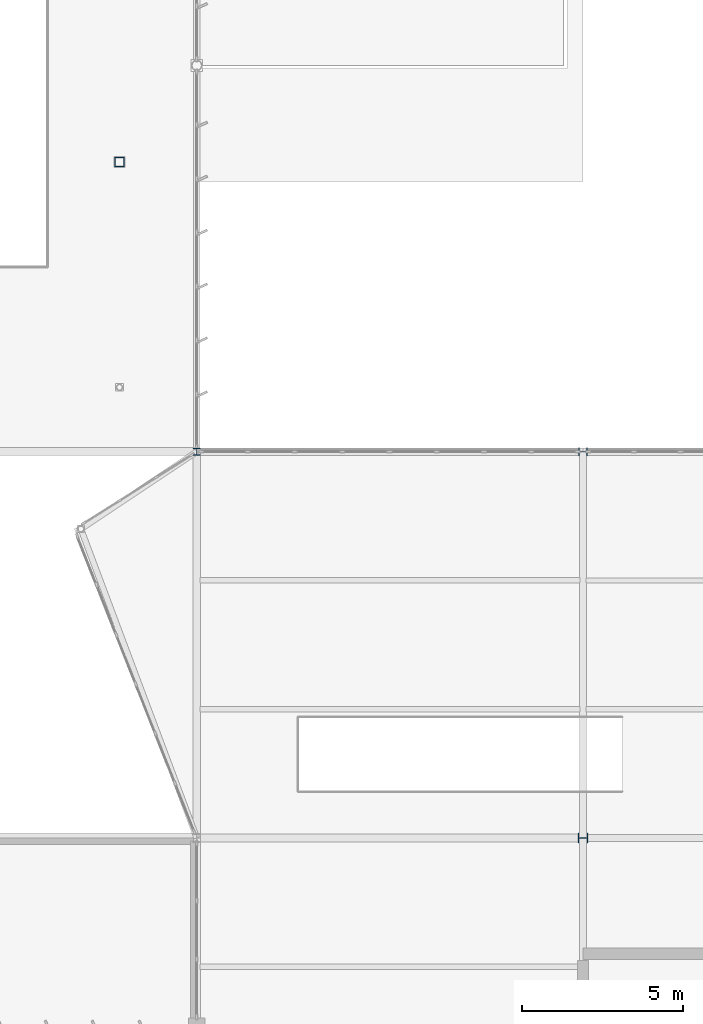
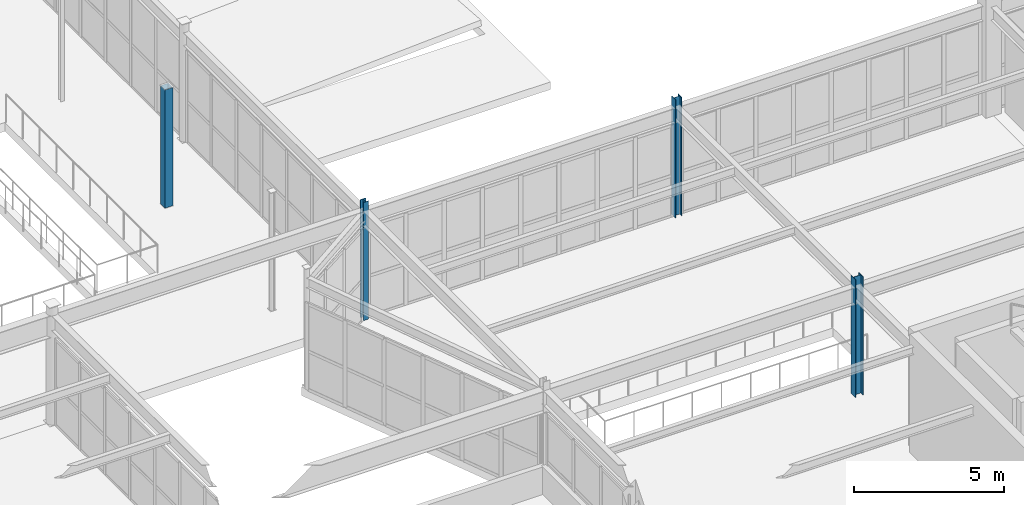
# One storey, part 45 of 226: 4 columns.
"""IFC4 building model written with IfcOpenShell, lengths in metres."""

import ifcopenshell
import ifcopenshell.guid

model = None  # the IFC model being written
_history = None  # IfcOwnerHistory: only IFC2X3 demands one
_inside = {}  # id of a spatial element -> (the spatial element, [elements in it])
_under = {}  # id of a project, library or spatial element -> (it, [spatial elements below it])
_declared = {}  # id of a project -> (the project, [libraries it declares])
_typed = {}  # id of a type object -> (the type object, [elements of that type])
_made_of = {}  # id of a material, layer set ... -> (it, [elements and type objects made of it])


def new_model(schema):
    """Start an empty IFC model of exactly this schema.

    Asked for "IFC4X3", IfcOpenShell would pick the latest addendum, in which some entities
    have other attributes; the version numbers below select the first issue.
    IFC2X3 requires an IfcOwnerHistory on every rooted entity: one is made here for all.
    """
    global model, _history
    if schema == "IFC4X3":
        model = ifcopenshell.file(schema_version=(4, 3, 0, 0))
    else:
        model = ifcopenshell.file(schema=schema)
    _inside.clear()
    _under.clear()
    _declared.clear()
    _typed.clear()
    _made_of.clear()
    _history = None
    if model.schema == "IFC2X3":
        org = make("IfcOrganization", Name="unknown")
        user = make(
            "IfcPersonAndOrganization",
            ThePerson=make("IfcPerson", FamilyName="unknown"),
            TheOrganization=org,
        )
        app = make(
            "IfcApplication",
            ApplicationDeveloper=org,
            Version="unknown",
            ApplicationFullName="unknown",
            ApplicationIdentifier="unknown",
        )
        _history = make(
            "IfcOwnerHistory",
            OwningUser=user,
            OwningApplication=app,
            ChangeAction="ADDED",
            CreationDate=0,
        )
    return model


def make(cls, **values):
    """One entity of the class cls with the attributes given. An attribute that is None is left unset."""
    return model.create_entity(
        cls, **{name: value for name, value in values.items() if value is not None}
    )


def rooted(cls, **values):
    """An entity with a GlobalId (a new one), such as an element, a storey or a relation."""
    return make(cls, GlobalId=ifcopenshell.guid.new(), OwnerHistory=_history, **values)


def si_unit(unit_type, name, prefix=None):
    """IfcSIUnit, for example si_unit("LENGTHUNIT", "METRE", prefix="MILLI")."""
    return make("IfcSIUnit", UnitType=unit_type, Prefix=prefix, Name=name)


def assignment(units):
    """IfcUnitAssignment: the units of a project."""
    return None if units is None else make("IfcUnitAssignment", Units=units)


def point(xyz):
    """IfcCartesianPoint."""
    return None if xyz is None else make("IfcCartesianPoint", Coordinates=xyz)


def direction(xyz):
    """IfcDirection."""
    return None if xyz is None else make("IfcDirection", DirectionRatios=xyz)


def frame(location, z_axis=None, x_axis=None):
    """IfcAxis2Placement3D, a coordinate frame: its origin and axes. An axis left out is left unset."""
    return make(
        "IfcAxis2Placement3D",
        Location=point(location),
        Axis=direction(z_axis),
        RefDirection=direction(x_axis),
    )


def frame_2d(location, x_axis=None):
    """IfcAxis2Placement2D, a coordinate frame in the plane: its origin and x axis."""
    return make(
        "IfcAxis2Placement2D", Location=point(location), RefDirection=direction(x_axis)
    )


def origin():
    """The frame at (0, 0, 0) with its axes left unset."""
    return frame((0.0, 0.0, 0.0))


def origin_2d():
    """The frame at (0, 0) in the plane with its x axis left unset."""
    return frame_2d((0.0, 0.0))


def place(relative_to, where):
    """IfcLocalPlacement: puts the frame where relative to a parent placement (None: the world)."""
    return make(
        "IfcLocalPlacement", PlacementRelTo=relative_to, RelativePlacement=where
    )


def context(
    kind, dimensions, precision=None, world=None, true_north=None, identifier=None
):
    """IfcGeometricRepresentationContext, for example the 3D "Model" context."""
    return make(
        "IfcGeometricRepresentationContext",
        ContextIdentifier=identifier,
        ContextType=kind,
        CoordinateSpaceDimension=dimensions,
        Precision=precision,
        WorldCoordinateSystem=world,
        TrueNorth=true_north,
    )


def subcontext(parent, identifier, kind, view, scale=None):
    """IfcGeometricRepresentationSubContext, for example "Body" below "Model"."""
    return make(
        "IfcGeometricRepresentationSubContext",
        ContextIdentifier=identifier,
        ContextType=kind,
        ParentContext=parent,
        TargetScale=scale,
        TargetView=view,
    )


def project(units=None, contexts=None):
    """IfcProject with its units and contexts."""
    return rooted(
        "IfcProject",
        Name="project",
        RepresentationContexts=contexts,
        UnitsInContext=assignment(units),
    )


def spatial(cls, under=None, at=None, **own):
    """A site, building, storey or space (cls), placed at a placement, below another one or the project."""
    s = rooted(cls, ObjectPlacement=at, **own)
    if under is not None:
        _under.setdefault(under.id(), (under, []))[1].append(s)
    return s


def profile(cls, at=None, kind="AREA", **sizes):
    """A parametric profile (cls). Its sizes go by their IFC names, for example OverallWidth=200.0."""
    return make(cls, ProfileType=kind, Position=at, **sizes)


def hollow_rectangle(**sizes):
    """IfcRectangleHollowProfileDef."""
    return profile("IfcRectangleHollowProfileDef", **sizes)


def i_section(**sizes):
    """IfcIShapeProfileDef."""
    return profile("IfcIShapeProfileDef", **sizes)


def extrude(swept, where, along, depth):
    """IfcExtrudedAreaSolid: the profile swept, set in the frame where, extruded along a direction by depth."""
    return make(
        "IfcExtrudedAreaSolid",
        SweptArea=swept,
        Position=where,
        ExtrudedDirection=direction(along),
        Depth=depth,
    )


def shape(context_of_items, identifier, shape_type, items):
    """IfcShapeRepresentation: the items that make up one representation, for example the "Body"."""
    return make(
        "IfcShapeRepresentation",
        ContextOfItems=context_of_items,
        RepresentationIdentifier=identifier,
        RepresentationType=shape_type,
        Items=items,
    )


def material(Name=None, Category=None):
    """IfcMaterial."""
    return make("IfcMaterial", Name=Name, Category=Category)


def material_profile(
    of_material, cross_section, Name=None, Category=None, Priority=None
):
    """IfcMaterialProfile: a cross section and its material."""
    return make(
        "IfcMaterialProfile",
        Name=Name,
        Material=of_material,
        Profile=cross_section,
        Priority=Priority,
        Category=Category,
    )


def profile_set(profiles, Name=None, composite=None):
    """IfcMaterialProfileSet."""
    return make(
        "IfcMaterialProfileSet",
        Name=Name,
        MaterialProfiles=profiles,
        CompositeProfile=composite,
    )


def made_of(thing, what):
    """Note that an element or type object is made of a material, layer set ...; save() writes the relation."""
    if what is not None:
        _made_of.setdefault(what.id(), (what, []))[1].append(thing)
    return thing


def type_object(cls, material=None, **own):
    """A type object (cls), such as IfcWallType, which elements share."""
    return made_of(rooted(cls, **own), material)


def element(
    cls,
    number,
    at=None,
    inside=None,
    cuts=None,
    type_object=None,
    material=None,
    context=None,
    identifier="Body",
    shape_type=None,
    held_by="IfcProductDefinitionShape",
    body=None,
    shapes=None,
    **own,
):
    """One element of the class cls, such as IfcWall. Its Tag is "e" and its number.

    at: its placement. inside: the storey or other place that contains it. cuts: it is an
    opening in that element (IfcRelVoidsElement). A single representation is given by context,
    identifier, shape_type and body (its items); several are given by shapes. held_by: the class
    of the entity that holds the representations. save() writes the other relations.
    """
    e = rooted(cls, Tag="e%d" % number, ObjectPlacement=at, **own)
    if body is not None:
        shapes = [shape(context, identifier, shape_type, body)]
    if shapes is not None:
        e.Representation = make(held_by, Representations=shapes)
    if inside is not None:
        _inside.setdefault(inside.id(), (inside, []))[1].append(e)
    if cuts is not None:
        rooted(
            "IfcRelVoidsElement", RelatingBuildingElement=cuts, RelatedOpeningElement=e
        )
    if type_object is not None:
        _typed.setdefault(type_object.id(), (type_object, []))[1].append(e)
    return made_of(e, material)


def aggregate(whole, parts):
    """IfcRelAggregates: a whole, such as a stair, and the parts it consists of."""
    return rooted("IfcRelAggregates", RelatingObject=whole, RelatedObjects=parts)


def save(model, path):
    """Write the relations noted so far, then the file.

    IfcRelAggregates (storeys below a building ...), IfcRelContainedInSpatialStructure (elements
    in a storey), IfcRelDefinesByType, IfcRelAssociatesMaterial and IfcRelDeclares: one each for
    every whole, place, type object, material and project.
    """
    for whole, parts in _under.values():
        aggregate(whole, parts)
    for where, things in _inside.values():
        rooted(
            "IfcRelContainedInSpatialStructure",
            RelatedElements=things,
            RelatingStructure=where,
        )
    for kind, things in _typed.values():
        rooted("IfcRelDefinesByType", RelatedObjects=things, RelatingType=kind)
    for what, things in _made_of.values():
        rooted("IfcRelAssociatesMaterial", RelatedObjects=things, RelatingMaterial=what)
    for by, libraries in _declared.values():
        rooted("IfcRelDeclares", RelatingContext=by, RelatedDefinitions=libraries)
    model.write(path)


model = new_model("IFC4")

# Units and contexts
model_context = context("Model", 3, precision=1e-05, world=origin(), true_north=direction((0.0, 1.0)))
body_context = subcontext(model_context, "Body", "Model", "MODEL_VIEW")
ifc_project = project(units=[si_unit("LENGTHUNIT", "METRE"), si_unit("AREAUNIT", "SQUARE_METRE"), si_unit("VOLUMEUNIT", "CUBIC_METRE"), si_unit("PLANEANGLEUNIT", "RADIAN"), si_unit("MASSUNIT", "GRAM", prefix="KILO")], contexts=[model_context])

# Site, building, storey
site_placement = place(None, origin())
site = spatial("IfcSite", under=ifc_project, at=site_placement, CompositionType="ELEMENT")
building_placement = place(site_placement, origin())
building = spatial("IfcBuilding", under=site, at=building_placement, Name="Tarnwether General Hospital", CompositionType="ELEMENT")
storey_placement = place(building_placement, frame((0.0, 0.0, 4.800048828125)))
storey = spatial("IfcBuildingStorey", under=building, at=storey_placement, Name="L01", CompositionType="ELEMENT", Elevation=4.800048828125)

# Columns
ifc_material_1 = material(Name="Steel Grade 350 (350 MPa)", Category="steel")
ifc_material_profile_1 = material_profile(ifc_material_1, i_section(OverallWidth=0.304931640625, OverallDepth=0.30810546875, WebThickness=0.010009765625, FlangeThickness=0.015380859375, at=origin_2d()), Name="310UC96.8")
ifc_profile_set_1 = profile_set([ifc_material_profile_1], Name="Steel Grade 350 (350 MPa)")
column_type_1 = type_object("IfcColumnType", Name="COL-08", PredefinedType="COLUMN", material=ifc_profile_set_1)
column_1_placement = place(storey_placement, frame((156.0, 33.60009765625, 0.0), z_axis=(0.0, 0.0, 1.0), x_axis=(0.0, 1.0, 0.0)))
element("IfcColumn", 1, at=column_1_placement, inside=storey, type_object=column_type_1, Name="Column COLG-L01-15600_3360", PredefinedType="COLUMN", context=body_context, shape_type="SweptSolid", body=[
    extrude(i_section(OverallWidth=0.304931640625, OverallDepth=0.30810546875, WebThickness=0.010009765625, FlangeThickness=0.015380859375, at=origin_2d()), origin(), (0.0, 0.0, 1.0), 4.800048828125),
])
ifc_material_2 = material(Name="Steel Grade 350 (350 MPa)", Category="steel")
ifc_material_profile_2 = material_profile(ifc_material_2, i_section(OverallWidth=0.256103515625, OverallDepth=0.260009765625, WebThickness=0.010498046875, FlangeThickness=0.017333984375, at=origin_2d()), Name="250UC89.5")
ifc_profile_set_2 = profile_set([ifc_material_profile_2], Name="Steel Grade 350 (350 MPa)")
column_type_2 = type_object("IfcColumnType", Name="COL-09", PredefinedType="COLUMN", material=ifc_profile_set_2)
column_2_placement = place(storey_placement, frame((156.0, 45.60009765625, 0.0), z_axis=(0.0, 0.0, 1.0), x_axis=(0.0, 1.0, 0.0)))
element("IfcColumn", 2, at=column_2_placement, inside=storey, type_object=column_type_2, Name="Column COLG-L01-15600_4560", PredefinedType="COLUMN", context=body_context, shape_type="SweptSolid", body=[
    extrude(i_section(OverallWidth=0.256103515625, OverallDepth=0.260009765625, WebThickness=0.010498046875, FlangeThickness=0.017333984375, at=origin_2d()), origin(), (0.0, 0.0, 1.0), 4.800048828125),
])
ifc_material_3 = material(Name="Steel Grade 350 (350 MPa)", Category="steel")
ifc_material_profile_3 = material_profile(ifc_material_3, i_section(OverallWidth=0.205078125, OverallDepth=0.2099609375, WebThickness=0.00927734375, FlangeThickness=0.01416015625, at=origin_2d()), Name="200UC59.5")
ifc_profile_set_3 = profile_set([ifc_material_profile_3], Name="Steel Grade 350 (350 MPa)")
column_type_3 = type_object("IfcColumnType", Name="COL-25", PredefinedType="COLUMN", material=ifc_profile_set_3)
column_3_placement = place(storey_placement, frame((144.0, 45.60009765625, 0.0), z_axis=(0.0, 0.0, 1.0), x_axis=(1.0, 0.0, 0.0)))
element("IfcColumn", 3, at=column_3_placement, inside=storey, type_object=column_type_3, Name="Column COLG-L01-14400_4560", PredefinedType="COLUMN", context=body_context, shape_type="SweptSolid", body=[
    extrude(i_section(OverallWidth=0.205078125, OverallDepth=0.2099609375, WebThickness=0.00927734375, FlangeThickness=0.01416015625, at=origin_2d()), origin(), (0.0, 0.0, 1.0), 4.800048828125),
])
ifc_material_4 = material(Name="Steel Grade C350L0 (350 MPa)", Category="steel")
ifc_material_profile_4 = material_profile(ifc_material_4, hollow_rectangle(XDim=0.300048828125, YDim=0.300048828125, WallThickness=0.012451171875, at=origin_2d()), Name="SHS300x300x12.5")
ifc_profile_set_4 = profile_set([ifc_material_profile_4], Name="Steel Grade C350L0 (350 MPa)")
column_type_4 = type_object("IfcColumnType", Name="COL-30", PredefinedType="COLUMN", material=ifc_profile_set_4)
column_4_placement = place(storey_placement, frame((141.60009765625, 54.60009765625, 0.0), z_axis=(0.0, 0.0, 1.0), x_axis=(1.0, 0.0, 0.0)))
element("IfcColumn", 4, at=column_4_placement, inside=storey, type_object=column_type_4, Name="Column COLG-L01-14160_5460", PredefinedType="COLUMN", context=body_context, shape_type="SweptSolid", body=[
    extrude(hollow_rectangle(XDim=0.300048828125, YDim=0.300048828125, WallThickness=0.012451171875, at=origin_2d()), origin(), (0.0, 0.0, 1.0), 4.800048828125),
])

save(model, "model.ifc")
